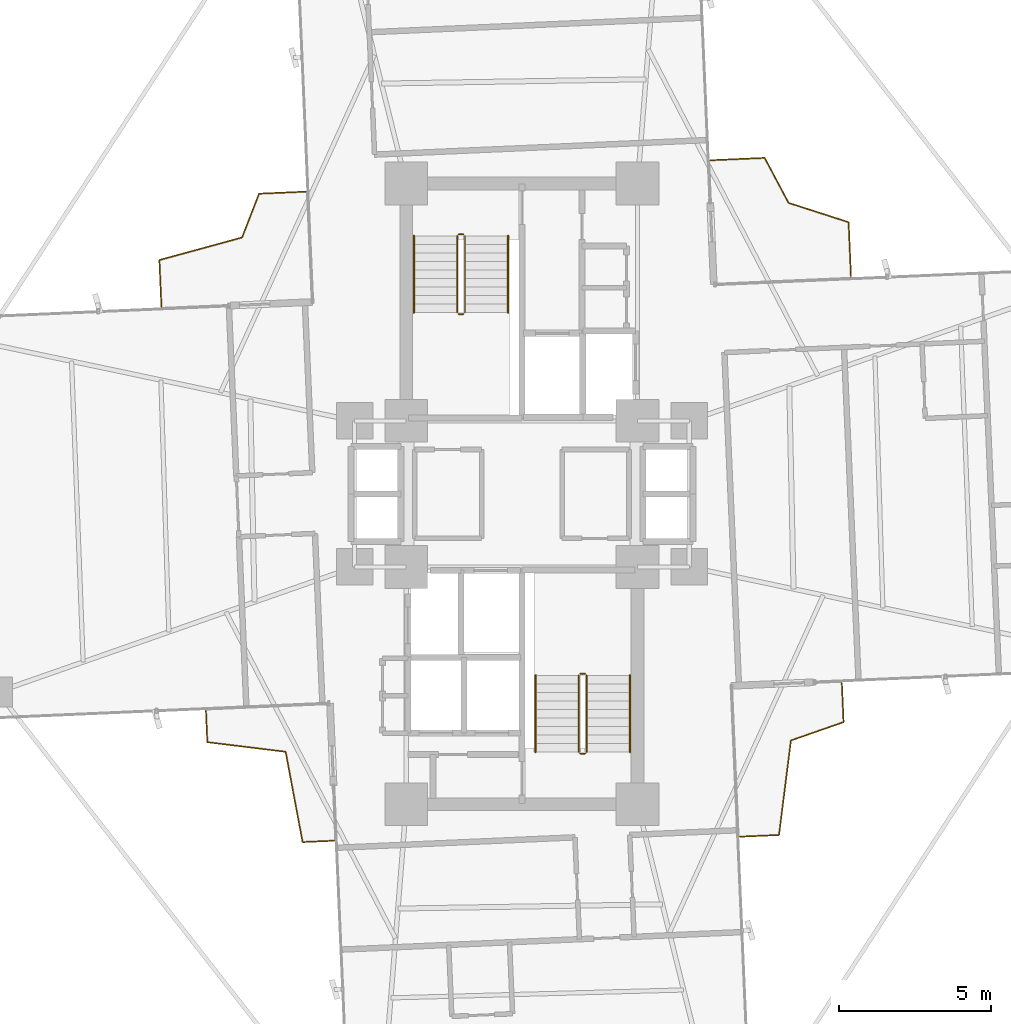
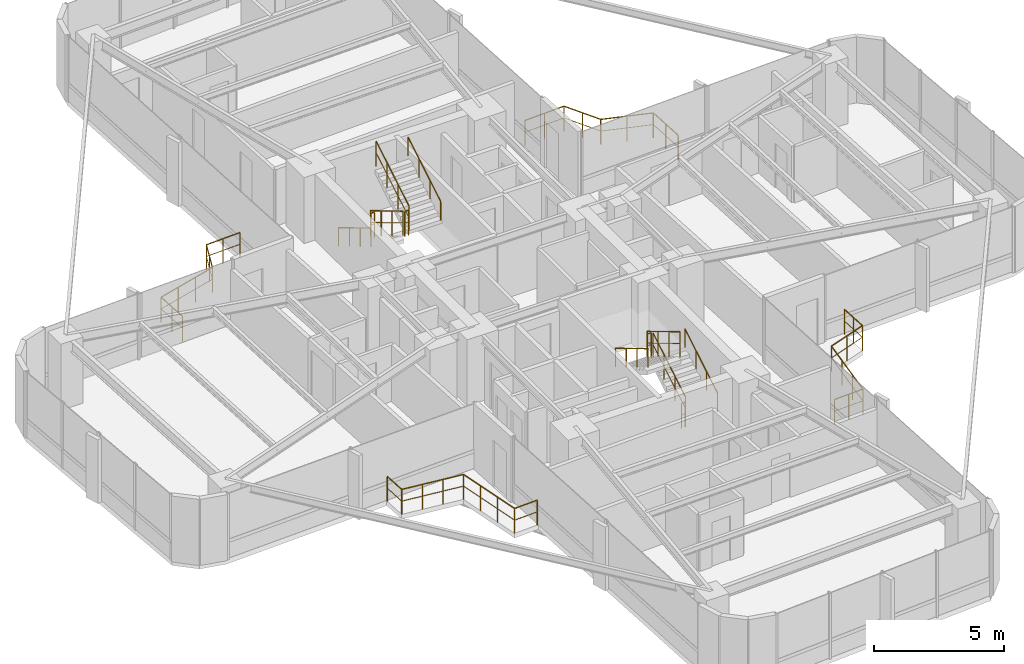
# One storey, part 26 of 26: 16 railings.
"""IFC4 building model written with IfcOpenShell, lengths in metres."""

from ifc_helpers import new_model, si_unit, direction, frame, origin, origin_2d, place, context, subcontext, project, spatial, circle, extrude, material, type_object, element, save


model = new_model("IFC4")

# Units and contexts
model_context = context("Model", 3, precision=1e-05, world=origin(), true_north=direction((0.0, 1.0)))
body_context = subcontext(model_context, "Body", "Model", "MODEL_VIEW")
ifc_project = project(units=[si_unit("LENGTHUNIT", "METRE"), si_unit("AREAUNIT", "SQUARE_METRE"), si_unit("VOLUMEUNIT", "CUBIC_METRE"), si_unit("PLANEANGLEUNIT", "RADIAN"), si_unit("MASSUNIT", "GRAM", prefix="KILO")], contexts=[model_context])

# Site, building, storey
site_placement = place(None, origin())
site = spatial("IfcSite", under=ifc_project, at=site_placement, CompositionType="ELEMENT")
building_placement = place(site_placement, origin())
building = spatial("IfcBuilding", under=site, at=building_placement, Name="Sahyath Konkavel Grand Hotel", CompositionType="ELEMENT")
storey_placement = place(building_placement, frame((0.0, 0.0, 93.550048828125)))
storey = spatial("IfcBuildingStorey", under=building, at=storey_placement, Name="L25", CompositionType="ELEMENT", Elevation=93.550048828125)

# Railings
ifc_material_1 = material(Name="Anodised Bronze Aluminium", Category="aluminium")
railing_type_1 = type_object("IfcRailingType", Name="RLG-BALC-1200", PredefinedType="GUARDRAIL", material=ifc_material_1)
railing_1_placement = place(storey_placement, frame((10.81494140625, 7.138427734375, 0.0)))
element("IfcRailing", 1, at=railing_1_placement, inside=storey, type_object=railing_type_1, Name="L25 Winter-Garden Guard NE", PredefinedType="GUARDRAIL", context=body_context, shape_type="SweptSolid", body=[
    extrude(circle(Radius=0.02392578125, at=origin_2d()), frame((0.0, 0.001953125, 1.17578125), z_axis=(-0.04357906135, 0.999049981438, 0.0), x_axis=(-0.999049981438, -0.04357906135, 0.0)), (0.0, 0.0, 1.0), 1.788818359375),
    extrude(circle(Radius=0.01416015625, at=origin_2d()), frame((0.0, 0.001953125, 0.6240234375), z_axis=(-0.04357906135, 0.999049981438, 0.0), x_axis=(-0.999049981438, -0.04357906135, 0.0)), (0.0, 0.0, 1.0), 1.788818359375),
    extrude(circle(Radius=0.02392578125, at=origin_2d()), frame((-0.080078125, 1.791748046875, 1.17578125), z_axis=(-0.951896090382, 0.306421006322, 0.0), x_axis=(-0.306421006322, -0.951896090382, 0.0)), (0.0, 0.0, 1.0), 2.068359375),
    extrude(circle(Radius=0.01416015625, at=origin_2d()), frame((-0.080078125, 1.791748046875, 0.6240234375), z_axis=(-0.951896090382, 0.306421006322, 0.0), x_axis=(-0.306421006322, -0.951896090382, 0.0)), (0.0, 0.0, 1.0), 2.068359375),
    extrude(circle(Radius=0.02392578125, at=origin_2d()), frame((-2.0517578125, 2.427734375, 1.17578125), z_axis=(-0.469361387493, 0.883006165284, 0.0), x_axis=(-0.883006165284, -0.469361387493, 0.0)), (0.0, 0.0, 1.0), 1.669921875),
    extrude(circle(Radius=0.01416015625, at=origin_2d()), frame((-2.0517578125, 2.427734375, 0.6240234375), z_axis=(-0.469361387493, 0.883006165284, 0.0), x_axis=(-0.883006165284, -0.469361387493, 0.0)), (0.0, 0.0, 1.0), 1.669921875),
    extrude(circle(Radius=0.02392578125, at=origin_2d()), frame((-2.83837890625, 3.904052734375, 1.17578125), z_axis=(-0.999049981438, -0.04357906135, 0.0), x_axis=(0.04357906135, -0.999049981438, 0.0)), (0.0, 0.0, 1.0), 1.788818359375),
    extrude(circle(Radius=0.01416015625, at=origin_2d()), frame((-2.83837890625, 3.904052734375, 0.6240234375), z_axis=(-0.999049981438, -0.04357906135, 0.0), x_axis=(0.04357906135, -0.999049981438, 0.0)), (0.0, 0.0, 1.0), 1.788818359375),
    extrude(circle(Radius=0.02099609375, at=origin_2d()), origin(), (0.0, 0.0, 1.0), 1.15185546875),
    extrude(circle(Radius=0.02099609375, at=origin_2d()), frame((-0.0390625, 0.8955078125, 0.0)), (0.0, 0.0, 1.0), 1.15185546875),
    extrude(circle(Radius=0.02099609375, at=origin_2d()), frame((-0.078125, 1.791015625, 0.0)), (0.0, 0.0, 1.0), 1.15185546875),
    extrude(circle(Radius=0.02099609375, at=origin_2d()), frame((-1.064453125, 2.1083984375, 0.0)), (0.0, 0.0, 1.0), 1.15185546875),
    extrude(circle(Radius=0.02099609375, at=origin_2d()), frame((-2.05078125, 2.426025390625, 0.0)), (0.0, 0.0, 1.0), 1.15185546875),
    extrude(circle(Radius=0.02099609375, at=origin_2d()), frame((-2.443603515625, 3.1650390625, 0.0)), (0.0, 0.0, 1.0), 1.15185546875),
    extrude(circle(Radius=0.02099609375, at=origin_2d()), frame((-2.83642578125, 3.904052734375, 0.0)), (0.0, 0.0, 1.0), 1.15185546875),
    extrude(circle(Radius=0.02099609375, at=origin_2d()), frame((-3.73193359375, 3.864990234375, 0.0)), (0.0, 0.0, 1.0), 1.15185546875),
    extrude(circle(Radius=0.02099609375, at=origin_2d()), frame((-4.62744140625, 3.825927734375, 0.0)), (0.0, 0.0, 1.0), 1.15185546875),
])
railing_2_placement = place(storey_placement, frame((-7.10009765625, 9.933837890625, 0.0)))
element("IfcRailing", 2, at=railing_2_placement, inside=storey, type_object=railing_type_1, Name="L25 Winter-Garden Guard NW", PredefinedType="GUARDRAIL", context=body_context, shape_type="SweptSolid", body=[
    extrude(circle(Radius=0.02392578125, at=origin_2d()), frame((-0.001953125, 0.0, 1.17578125), z_axis=(-0.999047153695, -0.043643839121, 0.0), x_axis=(0.043643839121, -0.999047153695, 0.0)), (0.0, 0.0, 1.0), 1.534423828125),
    extrude(circle(Radius=0.01416015625, at=origin_2d()), frame((-0.001953125, 0.0, 0.6240234375), z_axis=(-0.999047153695, -0.043643839121, 0.0), x_axis=(0.043643839121, -0.999047153695, 0.0)), (0.0, 0.0, 1.0), 1.534423828125),
    extrude(circle(Radius=0.02392578125, at=origin_2d()), frame((-1.53759765625, -0.069091796875, 1.17578125), z_axis=(-0.3621334952, -0.932126242337, 0.0), x_axis=(0.932126242337, -0.3621334952, 0.0)), (0.0, 0.0, 1.0), 1.54052734375),
    extrude(circle(Radius=0.01416015625, at=origin_2d()), frame((-1.53759765625, -0.069091796875, 0.6240234375), z_axis=(-0.3621334952, -0.932126242337, 0.0), x_axis=(0.932126242337, -0.3621334952, 0.0)), (0.0, 0.0, 1.0), 1.54052734375),
    extrude(circle(Radius=0.02392578125, at=origin_2d()), frame((-2.09814453125, -1.50732421875, 1.17578125), z_axis=(-0.964749812662, -0.263168765183, 0.0), x_axis=(0.263168765183, -0.964749812662, 0.0)), (0.0, 0.0, 1.0), 2.8115234375),
    extrude(circle(Radius=0.01416015625, at=origin_2d()), frame((-2.09814453125, -1.50732421875, 0.6240234375), z_axis=(-0.964749812662, -0.263168765183, 0.0), x_axis=(0.263168765183, -0.964749812662, 0.0)), (0.0, 0.0, 1.0), 2.8115234375),
    extrude(circle(Radius=0.02392578125, at=origin_2d()), frame((-4.8125, -2.249755859375, 1.17578125), z_axis=(0.043643839121, -0.999047153695, 0.0), x_axis=(0.999047153695, 0.043643839121, 0.0)), (0.0, 0.0, 1.0), 1.534423828125),
    extrude(circle(Radius=0.01416015625, at=origin_2d()), frame((-4.8125, -2.249755859375, 0.6240234375), z_axis=(0.043643839121, -0.999047153695, 0.0), x_axis=(0.999047153695, 0.043643839121, 0.0)), (0.0, 0.0, 1.0), 1.534423828125),
    extrude(circle(Radius=0.02099609375, at=origin_2d()), origin(), (0.0, 0.0, 1.0), 1.15185546875),
    extrude(circle(Radius=0.02099609375, at=origin_2d()), frame((-0.7685546875, -0.03369140625, 0.0)), (0.0, 0.0, 1.0), 1.15185546875),
    extrude(circle(Radius=0.02099609375, at=origin_2d()), frame((-1.536865234375, -0.067138671875, 0.0)), (0.0, 0.0, 1.0), 1.15185546875),
    extrude(circle(Radius=0.02099609375, at=origin_2d()), frame((-1.81640625, -0.787109375, 0.0)), (0.0, 0.0, 1.0), 1.15185546875),
    extrude(circle(Radius=0.02099609375, at=origin_2d()), frame((-2.09619140625, -1.5068359375, 0.0)), (0.0, 0.0, 1.0), 1.15185546875),
    extrude(circle(Radius=0.02099609375, at=origin_2d()), frame((-3.001708984375, -1.75390625, 0.0)), (0.0, 0.0, 1.0), 1.15185546875),
    extrude(circle(Radius=0.02099609375, at=origin_2d()), frame((-3.906982421875, -2.000732421875, 0.0)), (0.0, 0.0, 1.0), 1.15185546875),
    extrude(circle(Radius=0.02099609375, at=origin_2d()), frame((-4.8125, -2.247802734375, 0.0)), (0.0, 0.0, 1.0), 1.15185546875),
    extrude(circle(Radius=0.02099609375, at=origin_2d()), frame((-4.77880859375, -3.01611328125, 0.0)), (0.0, 0.0, 1.0), 1.15185546875),
    extrude(circle(Radius=0.02099609375, at=origin_2d()), frame((-4.745361328125, -3.78466796875, 0.0)), (0.0, 0.0, 1.0), 1.15185546875),
])
railing_3_placement = place(storey_placement, frame((-10.38330078125, -7.11962890625, 0.0)))
element("IfcRailing", 3, at=railing_3_placement, inside=storey, type_object=railing_type_1, Name="L25 Winter-Garden Guard SW", PredefinedType="GUARDRAIL", context=body_context, shape_type="SweptSolid", body=[
    extrude(circle(Radius=0.02392578125, at=origin_2d()), frame((0.0, -0.001953125, 1.17578125), z_axis=(0.043681819897, -0.999045493764, 0.0), x_axis=(0.999045493764, 0.043681819897, 0.0)), (0.0, 0.0, 1.0), 1.03564453125),
    extrude(circle(Radius=0.01416015625, at=origin_2d()), frame((0.0, -0.001953125, 0.6240234375), z_axis=(0.043681819897, -0.999045493764, 0.0), x_axis=(0.999045493764, 0.043681819897, 0.0)), (0.0, 0.0, 1.0), 1.03564453125),
    extrude(circle(Radius=0.02392578125, at=origin_2d()), frame((0.04736328125, -1.038818359375, 1.17578125), z_axis=(0.99255784086, -0.121774104586, 0.0), x_axis=(0.121774104586, 0.99255784086, 0.0)), (0.0, 0.0, 1.0), 2.58837890625),
    extrude(circle(Radius=0.01416015625, at=origin_2d()), frame((0.04736328125, -1.038818359375, 0.6240234375), z_axis=(0.99255784086, -0.121774104586, 0.0), x_axis=(0.121774104586, 0.99255784086, 0.0)), (0.0, 0.0, 1.0), 2.58837890625),
    extrude(circle(Radius=0.02392578125, at=origin_2d()), frame((2.618896484375, -1.356201171875, 1.17578125), z_axis=(0.184674186812, -0.982799798904, 0.0), x_axis=(0.982799798904, 0.184674186812, 0.0)), (0.0, 0.0, 1.0), 3.015380859375),
    extrude(circle(Radius=0.01416015625, at=origin_2d()), frame((2.618896484375, -1.356201171875, 0.6240234375), z_axis=(0.184674186812, -0.982799798904, 0.0), x_axis=(0.982799798904, 0.184674186812, 0.0)), (0.0, 0.0, 1.0), 3.015380859375),
    extrude(circle(Radius=0.02392578125, at=origin_2d()), frame((3.177978515625, -4.32177734375, 1.17578125), z_axis=(0.999045493764, 0.043681819897, 0.0), x_axis=(-0.043681819897, 0.999045493764, 0.0)), (0.0, 0.0, 1.0), 1.03564453125),
    extrude(circle(Radius=0.01416015625, at=origin_2d()), frame((3.177978515625, -4.32177734375, 0.6240234375), z_axis=(0.999045493764, 0.043681819897, 0.0), x_axis=(-0.043681819897, 0.999045493764, 0.0)), (0.0, 0.0, 1.0), 1.03564453125),
    extrude(circle(Radius=0.02099609375, at=origin_2d()), origin(), (0.0, 0.0, 1.0), 1.15185546875),
    extrude(circle(Radius=0.02099609375, at=origin_2d()), frame((0.04541015625, -1.03857421875, 0.0)), (0.0, 0.0, 1.0), 1.15185546875),
    extrude(circle(Radius=0.02099609375, at=origin_2d()), frame((0.903076171875, -1.143798828125, 0.0)), (0.0, 0.0, 1.0), 1.15185546875),
    extrude(circle(Radius=0.02099609375, at=origin_2d()), frame((1.7607421875, -1.2490234375, 0.0)), (0.0, 0.0, 1.0), 1.15185546875),
    extrude(circle(Radius=0.02099609375, at=origin_2d()), frame((2.618408203125, -1.354248046875, 0.0)), (0.0, 0.0, 1.0), 1.15185546875),
    extrude(circle(Radius=0.02099609375, at=origin_2d()), frame((2.80419921875, -2.343505859375, 0.0)), (0.0, 0.0, 1.0), 1.15185546875),
    extrude(circle(Radius=0.02099609375, at=origin_2d()), frame((2.990234375, -3.33251953125, 0.0)), (0.0, 0.0, 1.0), 1.15185546875),
    extrude(circle(Radius=0.02099609375, at=origin_2d()), frame((3.176025390625, -4.32177734375, 0.0)), (0.0, 0.0, 1.0), 1.15185546875),
    extrude(circle(Radius=0.02099609375, at=origin_2d()), frame((4.214599609375, -4.2763671875, 0.0)), (0.0, 0.0, 1.0), 1.15185546875),
])
railing_4_placement = place(storey_placement, frame((7.158203125, -11.264404296875, 0.0)))
element("IfcRailing", 4, at=railing_4_placement, inside=storey, type_object=railing_type_1, Name="L25 Winter-Garden Guard SE", PredefinedType="GUARDRAIL", context=body_context, shape_type="SweptSolid", body=[
    extrude(circle(Radius=0.02392578125, at=origin_2d()), frame((0.001953125, 0.0, 1.17578125), z_axis=(0.999049022316, 0.043601043672, 0.0), x_axis=(-0.043601043672, 0.999049022316, 0.0)), (0.0, 0.0, 1.0), 1.28955078125),
    extrude(circle(Radius=0.01416015625, at=origin_2d()), frame((0.001953125, 0.0, 0.6240234375), z_axis=(0.999049022316, 0.043601043672, 0.0), x_axis=(-0.043601043672, 0.999049022316, 0.0)), (0.0, 0.0, 1.0), 1.28955078125),
    extrude(circle(Radius=0.02392578125, at=origin_2d()), frame((1.29248046875, 0.058349609375, 1.17578125), z_axis=(0.125013715357, 0.99215501358, 0.0), x_axis=(-0.99215501358, 0.125013715357, 0.0)), (0.0, 0.0, 1.0), 3.12646484375),
    extrude(circle(Radius=0.01416015625, at=origin_2d()), frame((1.29248046875, 0.058349609375, 0.6240234375), z_axis=(0.125013715357, 0.99215501358, 0.0), x_axis=(-0.99215501358, 0.125013715357, 0.0)), (0.0, 0.0, 1.0), 3.12646484375),
    extrude(circle(Radius=0.02392578125, at=origin_2d()), frame((1.685546875, 3.1630859375, 1.17578125), z_axis=(0.944331226108, 0.328996254381, 0.0), x_axis=(-0.328996254381, 0.944331226108, 0.0)), (0.0, 0.0, 1.0), 1.827392578125),
    extrude(circle(Radius=0.01416015625, at=origin_2d()), frame((1.685546875, 3.1630859375, 0.6240234375), z_axis=(0.944331226108, 0.328996254381, 0.0), x_axis=(-0.328996254381, 0.944331226108, 0.0)), (0.0, 0.0, 1.0), 1.827392578125),
    extrude(circle(Radius=0.02392578125, at=origin_2d()), frame((3.4130859375, 3.766845703125, 1.17578125), z_axis=(-0.043789431628, 0.99904078279, 0.0), x_axis=(-0.99904078279, -0.043789431628, 0.0)), (0.0, 0.0, 1.0), 1.28955078125),
    extrude(circle(Radius=0.01416015625, at=origin_2d()), frame((3.4130859375, 3.766845703125, 0.6240234375), z_axis=(-0.043789431628, 0.99904078279, 0.0), x_axis=(-0.99904078279, -0.043789431628, 0.0)), (0.0, 0.0, 1.0), 1.28955078125),
    extrude(circle(Radius=0.02099609375, at=origin_2d()), origin(), (0.0, 0.0, 1.0), 1.15185546875),
    extrude(circle(Radius=0.02099609375, at=origin_2d()), frame((0.64599609375, 0.0283203125, 0.0)), (0.0, 0.0, 1.0), 1.15185546875),
    extrude(circle(Radius=0.02099609375, at=origin_2d()), frame((1.292236328125, 0.056396484375, 0.0)), (0.0, 0.0, 1.0), 1.15185546875),
    extrude(circle(Radius=0.02099609375, at=origin_2d()), frame((1.422607421875, 1.091796875, 0.0)), (0.0, 0.0, 1.0), 1.15185546875),
    extrude(circle(Radius=0.02099609375, at=origin_2d()), frame((1.55322265625, 2.126953125, 0.0)), (0.0, 0.0, 1.0), 1.15185546875),
    extrude(circle(Radius=0.02099609375, at=origin_2d()), frame((1.68359375, 3.162353515625, 0.0)), (0.0, 0.0, 1.0), 1.15185546875),
    extrude(circle(Radius=0.02099609375, at=origin_2d()), frame((2.54833984375, 3.463623046875, 0.0)), (0.0, 0.0, 1.0), 1.15185546875),
    extrude(circle(Radius=0.02099609375, at=origin_2d()), frame((3.4130859375, 3.764892578125, 0.0)), (0.0, 0.0, 1.0), 1.15185546875),
    extrude(circle(Radius=0.02099609375, at=origin_2d()), frame((3.384765625, 4.4111328125, 0.0)), (0.0, 0.0, 1.0), 1.15185546875),
    extrude(circle(Radius=0.02099609375, at=origin_2d()), frame((3.3564453125, 5.05712890625, 0.0)), (0.0, 0.0, 1.0), 1.15185546875),
])
ifc_material_2 = material(Name="Steel E350", Category="steel")
railing_type_2 = type_object("IfcRailingType", Name="RLG-STAIR-GRD", PredefinedType="GUARDRAIL", material=ifc_material_2)
railing_5_placement = place(storey_placement, frame((-2.1298828125, 8.47998046875, 0.16748046875)))
element("IfcRailing", 5, at=railing_5_placement, inside=storey, type_object=railing_type_2, Name="L25 ST-1 stair guard 1", PredefinedType="GUARDRAIL", context=body_context, shape_type="SweptSolid", body=[
    extrude(circle(Radius=0.02392578125, at=origin_2d()), frame((0.0, -0.001708984375, 1.177001953125), z_axis=(0.0, -0.858159760407, 0.513382728203), x_axis=(1.0, 0.0, 0.0)), (0.0, 0.0, 1.0), 2.9326171875),
    extrude(circle(Radius=0.01416015625, at=origin_2d()), frame((0.0, -0.001708984375, 0.625), z_axis=(0.0, -0.858159760407, 0.513382728203), x_axis=(1.0, 0.0, 0.0)), (0.0, 0.0, 1.0), 2.9326171875),
    extrude(circle(Radius=0.02099609375, at=origin_2d()), origin(), (0.0, 0.0, 1.0), 1.15185546875),
    extrude(circle(Radius=0.02099609375, at=origin_2d()), frame((0.0, -0.840087890625, 0.50244140625)), (0.0, 0.0, 1.0), 1.15185546875),
    extrude(circle(Radius=0.02099609375, at=origin_2d()), frame((0.0, -1.679931640625, 1.005126953125)), (0.0, 0.0, 1.0), 1.15185546875),
    extrude(circle(Radius=0.02099609375, at=origin_2d()), frame((0.0, -2.52001953125, 1.507568359375)), (0.0, 0.0, 1.0), 1.15185546875),
])
railing_6_placement = place(storey_placement, frame((-2.080078125, 5.909912109375, 1.675048828125)))
element("IfcRailing", 6, at=railing_6_placement, inside=storey, type_object=railing_type_2, Name="L25 ST-1 stair guard 2", PredefinedType="GUARDRAIL", context=body_context, shape_type="SweptSolid", body=[
    extrude(circle(Radius=0.02392578125, at=origin_2d()), frame((0.001953125, 0.0, 1.17578125), z_axis=(1.0, 0.0, 0.0), x_axis=(0.0, 1.0, 0.0)), (0.0, 0.0, 1.0), 0.15625),
    extrude(circle(Radius=0.01416015625, at=origin_2d()), frame((0.001953125, 0.0, 0.6240234375), z_axis=(1.0, 0.0, 0.0), x_axis=(0.0, 1.0, 0.0)), (0.0, 0.0, 1.0), 0.15625),
    extrude(circle(Radius=0.02099609375, at=origin_2d()), origin(), (0.0, 0.0, 1.0), 1.15185546875),
    extrude(circle(Radius=0.02099609375, at=origin_2d()), frame((0.16015625, 0.0, 0.0)), (0.0, 0.0, 1.0), 1.15185546875),
])
railing_7_placement = place(storey_placement, frame((-1.8701171875, 5.9599609375, 1.842529296875)))
element("IfcRailing", 7, at=railing_7_placement, inside=storey, type_object=railing_type_2, Name="L25 ST-1 stair guard 3", PredefinedType="GUARDRAIL", context=body_context, shape_type="SweptSolid", body=[
    extrude(circle(Radius=0.02392578125, at=origin_2d()), frame((0.0, 0.001708984375, 1.177001953125), z_axis=(0.0, 0.858196387827, 0.513321497621), x_axis=(-1.0, 0.0, 0.0)), (0.0, 0.0, 1.0), 2.932373046875),
    extrude(circle(Radius=0.01416015625, at=origin_2d()), frame((0.0, 0.001708984375, 0.625), z_axis=(0.0, 0.858196387827, 0.513321497621), x_axis=(-1.0, 0.0, 0.0)), (0.0, 0.0, 1.0), 2.932373046875),
    extrude(circle(Radius=0.02099609375, at=origin_2d()), origin(), (0.0, 0.0, 1.0), 1.15185546875),
    extrude(circle(Radius=0.02099609375, at=origin_2d()), frame((0.0, 0.840087890625, 0.50244140625)), (0.0, 0.0, 1.0), 1.15185546875),
    extrude(circle(Radius=0.02099609375, at=origin_2d()), frame((0.0, 1.679931640625, 1.0048828125)), (0.0, 0.0, 1.0), 1.15185546875),
    extrude(circle(Radius=0.02099609375, at=origin_2d()), frame((0.0, 2.52001953125, 1.50732421875)), (0.0, 0.0, 1.0), 1.15185546875),
])
railing_8_placement = place(storey_placement, frame((-2.080078125, 8.530029296875, 0.0)))
element("IfcRailing", 8, at=railing_8_placement, inside=storey, type_object=railing_type_2, Name="L25 ST-1 stair guard 4", PredefinedType="GUARDRAIL", context=body_context, shape_type="SweptSolid", body=[
    extrude(circle(Radius=0.02392578125, at=origin_2d()), frame((0.001953125, 0.0, 1.17578125), z_axis=(1.0, 0.0, 0.0), x_axis=(0.0, 1.0, 0.0)), (0.0, 0.0, 1.0), 0.15625),
    extrude(circle(Radius=0.01416015625, at=origin_2d()), frame((0.001953125, 0.0, 0.6240234375), z_axis=(1.0, 0.0, 0.0), x_axis=(0.0, 1.0, 0.0)), (0.0, 0.0, 1.0), 0.15625),
    extrude(circle(Radius=0.02099609375, at=origin_2d()), origin(), (0.0, 0.0, 1.0), 1.15185546875),
    extrude(circle(Radius=0.02099609375, at=origin_2d()), frame((0.16015625, 0.0, 0.0)), (0.0, 0.0, 1.0), 1.15185546875),
])
railing_9_placement = place(storey_placement, frame((2.1298828125, -8.47998046875, 0.16748046875)))
element("IfcRailing", 9, at=railing_9_placement, inside=storey, type_object=railing_type_2, Name="L25 ST-2 stair guard 1", PredefinedType="GUARDRAIL", context=body_context, shape_type="SweptSolid", body=[
    extrude(circle(Radius=0.02392578125, at=origin_2d()), frame((0.0, 0.001708984375, 1.177001953125), z_axis=(0.0, 0.858159760407, 0.513382728203), x_axis=(-1.0, 0.0, 0.0)), (0.0, 0.0, 1.0), 2.9326171875),
    extrude(circle(Radius=0.01416015625, at=origin_2d()), frame((0.0, 0.001708984375, 0.625), z_axis=(0.0, 0.858159760407, 0.513382728203), x_axis=(-1.0, 0.0, 0.0)), (0.0, 0.0, 1.0), 2.9326171875),
    extrude(circle(Radius=0.02099609375, at=origin_2d()), origin(), (0.0, 0.0, 1.0), 1.15185546875),
    extrude(circle(Radius=0.02099609375, at=origin_2d()), frame((0.0, 0.840087890625, 0.50244140625)), (0.0, 0.0, 1.0), 1.15185546875),
    extrude(circle(Radius=0.02099609375, at=origin_2d()), frame((0.0, 1.679931640625, 1.005126953125)), (0.0, 0.0, 1.0), 1.15185546875),
    extrude(circle(Radius=0.02099609375, at=origin_2d()), frame((0.0, 2.52001953125, 1.507568359375)), (0.0, 0.0, 1.0), 1.15185546875),
])
railing_10_placement = place(storey_placement, frame((2.080078125, -5.909912109375, 1.675048828125)))
element("IfcRailing", 10, at=railing_10_placement, inside=storey, type_object=railing_type_2, Name="L25 ST-2 stair guard 2", PredefinedType="GUARDRAIL", context=body_context, shape_type="SweptSolid", body=[
    extrude(circle(Radius=0.02392578125, at=origin_2d()), frame((-0.001953125, 0.0, 1.17578125), z_axis=(-1.0, 0.0, 0.0), x_axis=(0.0, -1.0, 0.0)), (0.0, 0.0, 1.0), 0.15625),
    extrude(circle(Radius=0.01416015625, at=origin_2d()), frame((-0.001953125, 0.0, 0.6240234375), z_axis=(-1.0, 0.0, 0.0), x_axis=(0.0, -1.0, 0.0)), (0.0, 0.0, 1.0), 0.15625),
    extrude(circle(Radius=0.02099609375, at=origin_2d()), origin(), (0.0, 0.0, 1.0), 1.15185546875),
    extrude(circle(Radius=0.02099609375, at=origin_2d()), frame((-0.16015625, 0.0, 0.0)), (0.0, 0.0, 1.0), 1.15185546875),
])
railing_11_placement = place(storey_placement, frame((1.8701171875, -5.9599609375, 1.842529296875)))
element("IfcRailing", 11, at=railing_11_placement, inside=storey, type_object=railing_type_2, Name="L25 ST-2 stair guard 3", PredefinedType="GUARDRAIL", context=body_context, shape_type="SweptSolid", body=[
    extrude(circle(Radius=0.02392578125, at=origin_2d()), frame((0.0, -0.001708984375, 1.177001953125), z_axis=(0.0, -0.858196387827, 0.513321497621), x_axis=(1.0, 0.0, 0.0)), (0.0, 0.0, 1.0), 2.932373046875),
    extrude(circle(Radius=0.01416015625, at=origin_2d()), frame((0.0, -0.001708984375, 0.625), z_axis=(0.0, -0.858196387827, 0.513321497621), x_axis=(1.0, 0.0, 0.0)), (0.0, 0.0, 1.0), 2.932373046875),
    extrude(circle(Radius=0.02099609375, at=origin_2d()), origin(), (0.0, 0.0, 1.0), 1.15185546875),
    extrude(circle(Radius=0.02099609375, at=origin_2d()), frame((0.0, -0.840087890625, 0.50244140625)), (0.0, 0.0, 1.0), 1.15185546875),
    extrude(circle(Radius=0.02099609375, at=origin_2d()), frame((0.0, -1.679931640625, 1.0048828125)), (0.0, 0.0, 1.0), 1.15185546875),
    extrude(circle(Radius=0.02099609375, at=origin_2d()), frame((0.0, -2.52001953125, 1.50732421875)), (0.0, 0.0, 1.0), 1.15185546875),
])
railing_12_placement = place(storey_placement, frame((2.080078125, -8.530029296875, 0.0)))
element("IfcRailing", 12, at=railing_12_placement, inside=storey, type_object=railing_type_2, Name="L25 ST-2 stair guard 4", PredefinedType="GUARDRAIL", context=body_context, shape_type="SweptSolid", body=[
    extrude(circle(Radius=0.02392578125, at=origin_2d()), frame((-0.001953125, 0.0, 1.17578125), z_axis=(-1.0, 0.0, 0.0), x_axis=(0.0, -1.0, 0.0)), (0.0, 0.0, 1.0), 0.15625),
    extrude(circle(Radius=0.01416015625, at=origin_2d()), frame((-0.001953125, 0.0, 0.6240234375), z_axis=(-1.0, 0.0, 0.0), x_axis=(0.0, -1.0, 0.0)), (0.0, 0.0, 1.0), 0.15625),
    extrude(circle(Radius=0.02099609375, at=origin_2d()), origin(), (0.0, 0.0, 1.0), 1.15185546875),
    extrude(circle(Radius=0.02099609375, at=origin_2d()), frame((-0.16015625, 0.0, 0.0)), (0.0, 0.0, 1.0), 1.15185546875),
])
railing_type_3 = type_object("IfcRailingType", Name="RLG-STAIR-HND", PredefinedType="HANDRAIL", material=ifc_material_1)
railing_13_placement = place(storey_placement, frame((-3.550048828125, 8.47998046875, 0.16748046875)))
element("IfcRailing", 13, at=railing_13_placement, inside=storey, type_object=railing_type_3, Name="L25 ST-1 stair handrail 1", PredefinedType="HANDRAIL", context=body_context, shape_type="SweptSolid", body=[
    extrude(circle(Radius=0.02392578125, at=origin_2d()), frame((0.0, -0.001708984375, 0.876953125), z_axis=(0.0, -0.858159760407, 0.513382728203), x_axis=(1.0, 0.0, 0.0)), (0.0, 0.0, 1.0), 2.9326171875),
    extrude(circle(Radius=0.02099609375, at=origin_2d()), origin(), (0.0, 0.0, 1.0), 0.851806640625),
    extrude(circle(Radius=0.02099609375, at=origin_2d()), frame((0.0, -0.840087890625, 0.50244140625)), (0.0, 0.0, 1.0), 0.851806640625),
    extrude(circle(Radius=0.02099609375, at=origin_2d()), frame((0.0, -1.679931640625, 1.005126953125)), (0.0, 0.0, 1.0), 0.851806640625),
    extrude(circle(Radius=0.02099609375, at=origin_2d()), frame((0.0, -2.52001953125, 1.507568359375)), (0.0, 0.0, 1.0), 0.851806640625),
])
railing_14_placement = place(storey_placement, frame((-0.449951171875, 5.9599609375, 1.842529296875)))
element("IfcRailing", 14, at=railing_14_placement, inside=storey, type_object=railing_type_3, Name="L25 ST-1 stair handrail 2", PredefinedType="HANDRAIL", context=body_context, shape_type="SweptSolid", body=[
    extrude(circle(Radius=0.02392578125, at=origin_2d()), frame((0.0, 0.001708984375, 0.876953125), z_axis=(0.0, 0.858196387827, 0.513321497621), x_axis=(-1.0, 0.0, 0.0)), (0.0, 0.0, 1.0), 2.932373046875),
    extrude(circle(Radius=0.02099609375, at=origin_2d()), origin(), (0.0, 0.0, 1.0), 0.851806640625),
    extrude(circle(Radius=0.02099609375, at=origin_2d()), frame((0.0, 0.840087890625, 0.50244140625)), (0.0, 0.0, 1.0), 0.851806640625),
    extrude(circle(Radius=0.02099609375, at=origin_2d()), frame((0.0, 1.679931640625, 1.0048828125)), (0.0, 0.0, 1.0), 0.851806640625),
    extrude(circle(Radius=0.02099609375, at=origin_2d()), frame((0.0, 2.52001953125, 1.50732421875)), (0.0, 0.0, 1.0), 0.851806640625),
])
railing_15_placement = place(storey_placement, frame((3.550048828125, -8.47998046875, 0.16748046875)))
element("IfcRailing", 15, at=railing_15_placement, inside=storey, type_object=railing_type_3, Name="L25 ST-2 stair handrail 1", PredefinedType="HANDRAIL", context=body_context, shape_type="SweptSolid", body=[
    extrude(circle(Radius=0.02392578125, at=origin_2d()), frame((0.0, 0.001708984375, 0.876953125), z_axis=(0.0, 0.858159760407, 0.513382728203), x_axis=(-1.0, 0.0, 0.0)), (0.0, 0.0, 1.0), 2.9326171875),
    extrude(circle(Radius=0.02099609375, at=origin_2d()), origin(), (0.0, 0.0, 1.0), 0.851806640625),
    extrude(circle(Radius=0.02099609375, at=origin_2d()), frame((0.0, 0.840087890625, 0.50244140625)), (0.0, 0.0, 1.0), 0.851806640625),
    extrude(circle(Radius=0.02099609375, at=origin_2d()), frame((0.0, 1.679931640625, 1.005126953125)), (0.0, 0.0, 1.0), 0.851806640625),
    extrude(circle(Radius=0.02099609375, at=origin_2d()), frame((0.0, 2.52001953125, 1.507568359375)), (0.0, 0.0, 1.0), 0.851806640625),
])
railing_16_placement = place(storey_placement, frame((0.449951171875, -5.9599609375, 1.842529296875)))
element("IfcRailing", 16, at=railing_16_placement, inside=storey, type_object=railing_type_3, Name="L25 ST-2 stair handrail 2", PredefinedType="HANDRAIL", context=body_context, shape_type="SweptSolid", body=[
    extrude(circle(Radius=0.02392578125, at=origin_2d()), frame((0.0, -0.001708984375, 0.876953125), z_axis=(0.0, -0.858196387827, 0.513321497621), x_axis=(1.0, 0.0, 0.0)), (0.0, 0.0, 1.0), 2.932373046875),
    extrude(circle(Radius=0.02099609375, at=origin_2d()), origin(), (0.0, 0.0, 1.0), 0.851806640625),
    extrude(circle(Radius=0.02099609375, at=origin_2d()), frame((0.0, -0.840087890625, 0.50244140625)), (0.0, 0.0, 1.0), 0.851806640625),
    extrude(circle(Radius=0.02099609375, at=origin_2d()), frame((0.0, -1.679931640625, 1.0048828125)), (0.0, 0.0, 1.0), 0.851806640625),
    extrude(circle(Radius=0.02099609375, at=origin_2d()), frame((0.0, -2.52001953125, 1.50732421875)), (0.0, 0.0, 1.0), 0.851806640625),
])

save(model, "model.ifc")
